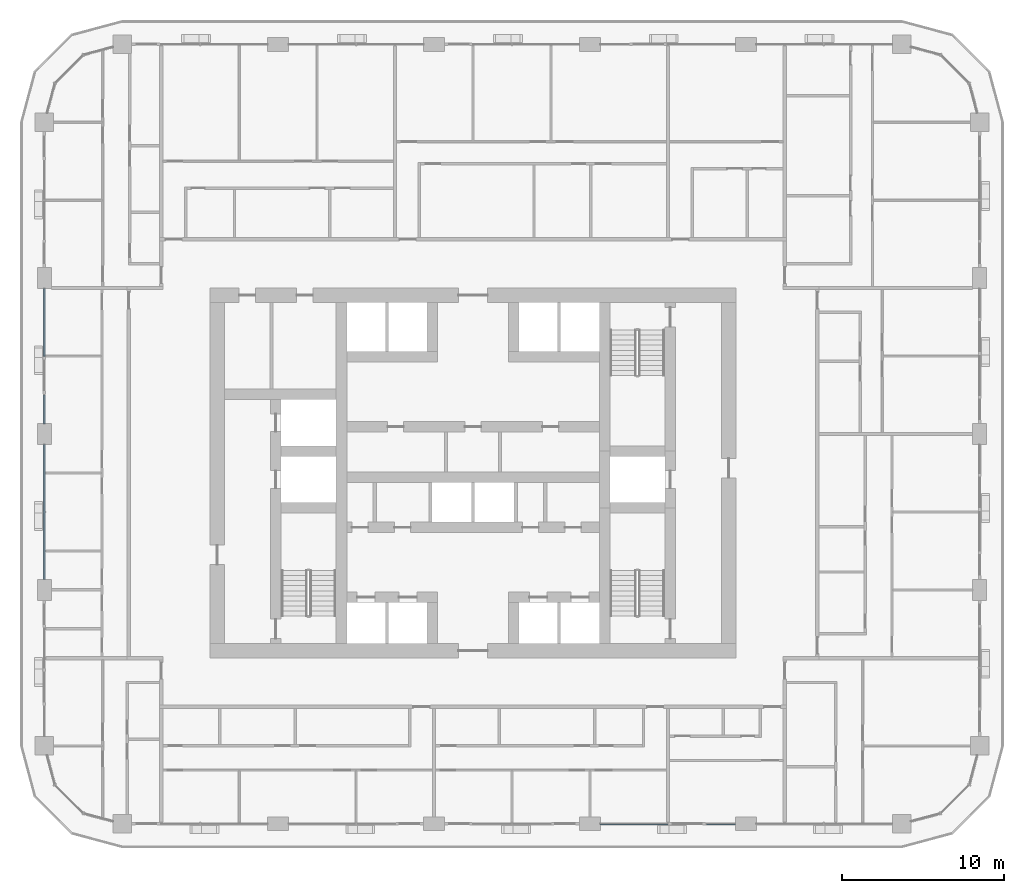
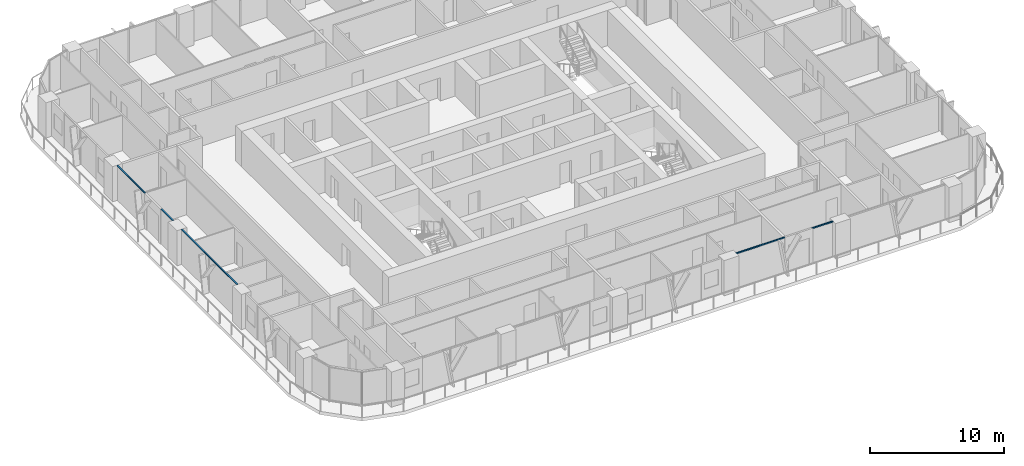
# One storey, part 3 of 21: 5 members, 3 elements without a shape of their own.
"""IFC4 building model written with IfcOpenShell, lengths in metres."""

from ifc_helpers import new_model, si_unit, direction, frame, origin, origin_2d, place, context, subcontext, project, spatial, rectangle, extrude, material, layer, layer_set, material_profile, profile_set, type_object, element, aggregate, save


model = new_model("IFC4")

# Units and contexts
model_context = context("Model", 3, precision=1e-05, world=origin(), true_north=direction((0.0, 1.0)))
body_context = subcontext(model_context, "Body", "Model", "MODEL_VIEW")
ifc_project = project(units=[si_unit("LENGTHUNIT", "METRE"), si_unit("AREAUNIT", "SQUARE_METRE"), si_unit("VOLUMEUNIT", "CUBIC_METRE"), si_unit("PLANEANGLEUNIT", "RADIAN"), si_unit("MASSUNIT", "GRAM", prefix="KILO")], contexts=[model_context])

# Site, building, storey
site_placement = place(None, origin())
site = spatial("IfcSite", under=ifc_project, at=site_placement, CompositionType="ELEMENT")
building_placement = place(site_placement, origin())
building = spatial("IfcBuilding", under=site, at=building_placement, Name="Madar Terraces", CompositionType="ELEMENT")
storey_placement = place(building_placement, frame((0.0, 0.0, 89.199951171875)))
storey = spatial("IfcBuildingStorey", under=building, at=storey_placement, Name="L22", CompositionType="ELEMENT", Elevation=89.199951171875)

# Curtain wall, members
ifc_material_1 = material(Name="Glass, ceramic frit dark grey, with black aluminium frame", Category="aluminium")
ifc_layer = layer(ifc_material_1, 0.199951171875)
ifc_layer_set = layer_set([ifc_layer], Name="Facade curtain wall, fritted glass")
curtain_wall_type = type_object("IfcCurtainWallType", Name="Facade curtain wall, fritted glass", PredefinedType="NOTDEFINED", material=ifc_layer_set)
curtain_wall_1_placement = place(storey_placement, origin())
curtain_wall_1 = element("IfcCurtainWall", 1, at=curtain_wall_1_placement, inside=storey, type_object=curtain_wall_type, Name="Outer skin curtain wall south bay 4", PredefinedType="NOTDEFINED")
ifc_material_2 = material(Name="Aluminium, black anodised", Category="aluminium")
ifc_material_profile = material_profile(ifc_material_2, rectangle(XDim=0.1201171875, YDim=0.06005859375, at=origin_2d()), Name="Facade transom 60x120")
ifc_profile_set = profile_set([ifc_material_profile], Name="Aluminium, black anodised")
member_type = type_object("IfcMemberType", Name="Facade transom 60x120", PredefinedType="USERDEFINED", material=ifc_profile_set)
member_1_placement = place(storey_placement, frame((39.050048828125, 4.800048828125, 3.170166015625), z_axis=(1.0, 0.0, 0.0), x_axis=(0.0, 1.0, 0.0)))
member_1 = element("IfcMember", 2, at=member_1_placement, type_object=member_type, Name="Transom 1", ObjectType="TRANSOM", PredefinedType="USERDEFINED", context=body_context, shape_type="SweptSolid", body=[
    extrude(rectangle(XDim=0.1201171875, YDim=0.06005859375, at=origin_2d()), origin(), (0.0, 0.0, 1.0), 4.14990234375),
])
member_2_placement = place(storey_placement, frame((45.60009765625, 4.800048828125, 3.170166015625), z_axis=(1.0, 0.0, 0.0), x_axis=(0.0, 1.0, 0.0)))
member_2 = element("IfcMember", 3, at=member_2_placement, type_object=member_type, Name="Transom 2", ObjectType="TRANSOM", PredefinedType="USERDEFINED", context=body_context, shape_type="SweptSolid", body=[
    extrude(rectangle(XDim=0.1201171875, YDim=0.06005859375, at=origin_2d()), origin(), (0.0, 0.0, 1.0), 1.75),
])
aggregate(curtain_wall_1, [member_1, member_2])

curtain_wall_2_placement = place(storey_placement, origin())
curtain_wall_2 = element("IfcCurtainWall", 4, at=curtain_wall_2_placement, inside=storey, type_object=curtain_wall_type, Name="Outer skin curtain wall west bay 2", PredefinedType="NOTDEFINED")
member_3_placement = place(storey_placement, frame((4.800048828125, 37.75, 3.170166015625), z_axis=(0.0, -1.0, 0.0), x_axis=(1.0, 0.0, 0.0)))
member_3 = element("IfcMember", 5, at=member_3_placement, type_object=member_type, Name="Transom 1", ObjectType="TRANSOM", PredefinedType="USERDEFINED", context=body_context, shape_type="SweptSolid", body=[
    extrude(rectangle(XDim=0.1201171875, YDim=0.06005859375, at=origin_2d()), origin(), (0.0, 0.0, 1.0), 4.14990234375),
])
member_4_placement = place(storey_placement, frame((4.800048828125, 31.199951171875, 3.170166015625), z_axis=(0.0, -1.0, 0.0), x_axis=(1.0, 0.0, 0.0)))
member_4 = element("IfcMember", 6, at=member_4_placement, type_object=member_type, Name="Transom 2", ObjectType="TRANSOM", PredefinedType="USERDEFINED", context=body_context, shape_type="SweptSolid", body=[
    extrude(rectangle(XDim=0.1201171875, YDim=0.06005859375, at=origin_2d()), origin(), (0.0, 0.0, 1.0), 1.75),
])
aggregate(curtain_wall_2, [member_3, member_4])

# Curtain wall, member
curtain_wall_3_placement = place(storey_placement, origin())
curtain_wall_3 = element("IfcCurtainWall", 7, at=curtain_wall_3_placement, inside=storey, type_object=curtain_wall_type, Name="Outer skin curtain wall west bay 3", PredefinedType="NOTDEFINED")
member_5_placement = place(storey_placement, frame((4.800048828125, 28.14990234375, 3.170166015625), z_axis=(0.0, -1.0, 0.0), x_axis=(1.0, 0.0, 0.0)))
member_5 = element("IfcMember", 8, at=member_5_placement, type_object=member_type, Name="Transom 1", ObjectType="TRANSOM", PredefinedType="USERDEFINED", context=body_context, shape_type="SweptSolid", body=[
    extrude(rectangle(XDim=0.1201171875, YDim=0.06005859375, at=origin_2d()), origin(), (0.0, 0.0, 1.0), 8.2998046875),
])
aggregate(curtain_wall_3, [member_5])

save(model, "model.ifc")
